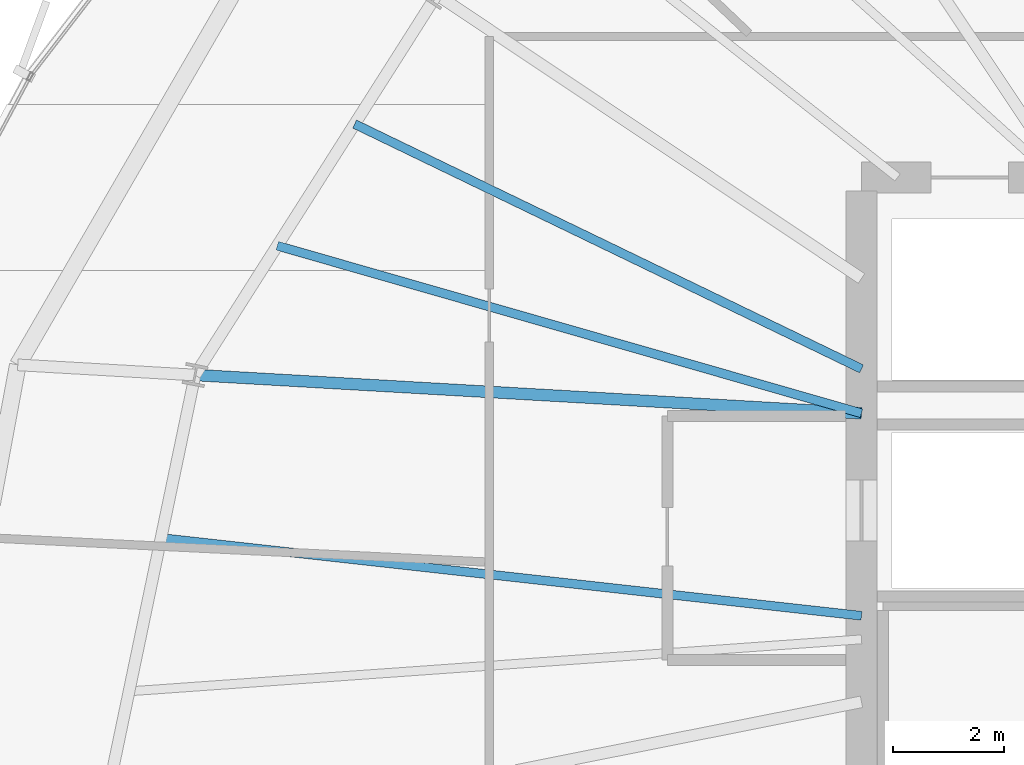
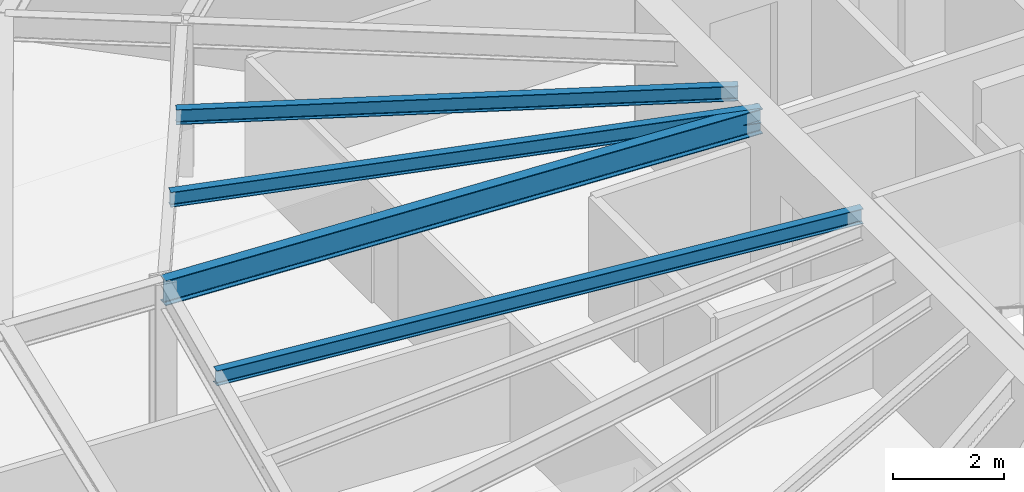
# One storey, part 10 of 34: 4 beams.
"""IFC4 building model written with IfcOpenShell, lengths in metres."""

from ifc_helpers import new_model, si_unit, direction, frame, origin, origin_2d, place, context, subcontext, project, spatial, i_section, extrude, source, transform, mapped, material, material_profile, profile_set, type_object, element, save


model = new_model("IFC4")

# Units and contexts
model_context = context("Model", 3, precision=1e-05, world=origin(), true_north=direction((0.0, 1.0)))
body_context = subcontext(model_context, "Body", "Model", "MODEL_VIEW")
ifc_project = project(units=[si_unit("LENGTHUNIT", "METRE"), si_unit("AREAUNIT", "SQUARE_METRE"), si_unit("VOLUMEUNIT", "CUBIC_METRE"), si_unit("PLANEANGLEUNIT", "RADIAN"), si_unit("MASSUNIT", "GRAM", prefix="KILO"), si_unit("THERMODYNAMICTEMPERATUREUNIT", "KELVIN")], contexts=[model_context])

# Site, building, storey
site_placement = place(None, origin())
site = spatial("IfcSite", under=ifc_project, at=site_placement, CompositionType="ELEMENT")
building_placement = place(site_placement, origin())
building = spatial("IfcBuilding", under=site, at=building_placement, Name="Kethvar Cultural Tower", CompositionType="ELEMENT")
storey_placement = place(building_placement, frame((0.0, 0.0, 125.199951171875)))
storey = spatial("IfcBuildingStorey", under=building, at=storey_placement, Name="L31", CompositionType="ELEMENT", Elevation=125.199951171875)

# Beams
ifc_material = material(Name="Steel S355J2", Category="steel")
ifc_material_profile_1 = material_profile(ifc_material, i_section(OverallWidth=0.2099609375, OverallDepth=0.550048828125, WebThickness=0.010986328125, FlangeThickness=0.01708984375, FilletRadius=0.02392578125, at=origin_2d()), Name="Steel S355J2 — IPE550")
ifc_profile_set_1 = profile_set([ifc_material_profile_1], Name="Steel S355J2 — IPE550")
beam_type_1 = type_object("IfcBeamType", Name="BM-IPE550", PredefinedType="BEAM", material=ifc_profile_set_1)
shared_shape_1 = source(origin(), body_context, "Body", "SweptSolid", [
    extrude(i_section(OverallWidth=0.2099609375, OverallDepth=0.550048828125, WebThickness=0.010986328125, FlangeThickness=0.01708984375, FilletRadius=0.02392578125, at=origin_2d()), origin(), (0.0, 0.0, 1.0), 12.03125),
])
beam_1_placement = place(storey_placement, frame((38.0, 31.25, 3.072998046875), z_axis=(-0.998355544741, 0.057325441856, 0.0), x_axis=(-0.057325441856, -0.998355544741, 0.0)))
element("IfcBeam", 1, at=beam_1_placement, inside=storey, type_object=beam_type_1, Name="L31 Primary Radial Beam RB-08", PredefinedType="BEAM", context=body_context, shape_type="MappedRepresentation", body=[
    mapped(shared_shape_1, transform((0.0, 0.0, 0.0), scale=1.0)),
])
ifc_material_profile_2 = material_profile(ifc_material, i_section(OverallWidth=0.159912109375, OverallDepth=0.330078125, WebThickness=0.007568359375, FlangeThickness=0.011474609375, FilletRadius=0.01806640625, at=origin_2d()), Name="Steel S355J2 — IPE330")
ifc_profile_set_2 = profile_set([ifc_material_profile_2], Name="Steel S355J2 — IPE330")
beam_type_2 = type_object("IfcBeamType", Name="BM-J330", PredefinedType="JOIST", material=ifc_profile_set_2)
shared_shape_2 = source(origin(), body_context, "Body", "SweptSolid", [
    extrude(i_section(OverallWidth=0.159912109375, OverallDepth=0.330078125, WebThickness=0.007568359375, FlangeThickness=0.011474609375, FilletRadius=0.01806640625, at=origin_2d()), origin(), (0.0, 0.0, 1.0), 10.1455078125),
])
beam_2_placement = place(storey_placement, frame((38.0, 32.05078125, 3.18310546875), z_axis=(-0.90045122575, 0.434956997927, 0.0), x_axis=(-0.434956997927, -0.90045122575, 0.0)))
element("IfcBeam", 2, at=beam_2_placement, inside=storey, type_object=beam_type_2, Name="L31 Composite Floor Joist J-07A", PredefinedType="JOIST", context=body_context, shape_type="MappedRepresentation", body=[
    mapped(shared_shape_2, transform((0.0, 0.0, 0.0), scale=1.0)),
])
shared_shape_3 = source(origin(), body_context, "Body", "SweptSolid", [
    extrude(i_section(OverallWidth=0.159912109375, OverallDepth=0.330078125, WebThickness=0.007568359375, FlangeThickness=0.011474609375, FilletRadius=0.01806640625, at=origin_2d()), origin(), (0.0, 0.0, 1.0), 10.95458984375),
])
beam_3_placement = place(storey_placement, frame((38.0, 31.25, 3.18310546875), z_axis=(-0.96124170623, 0.275707058676, 0.0), x_axis=(-0.275707058676, -0.96124170623, 0.0)))
element("IfcBeam", 3, at=beam_3_placement, inside=storey, type_object=beam_type_2, Name="L31 Composite Floor Joist J-07B", PredefinedType="JOIST", context=body_context, shape_type="MappedRepresentation", body=[
    mapped(shared_shape_3, transform((0.0, 0.0, 0.0), scale=1.0)),
])
shared_shape_4 = source(origin(), body_context, "Body", "SweptSolid", [
    extrude(i_section(OverallWidth=0.159912109375, OverallDepth=0.330078125, WebThickness=0.007568359375, FlangeThickness=0.011474609375, FilletRadius=0.01806640625, at=origin_2d()), origin(), (0.0, 0.0, 1.0), 12.7021484375),
])
beam_4_placement = place(storey_placement, frame((38.0, 27.60009765625, 3.18310546875), z_axis=(-0.993884906591, 0.110420978309, 0.0), x_axis=(-0.110420978309, -0.993884906591, 0.0)))
element("IfcBeam", 4, at=beam_4_placement, inside=storey, type_object=beam_type_2, Name="L31 Composite Floor Joist J-08A", PredefinedType="JOIST", context=body_context, shape_type="MappedRepresentation", body=[
    mapped(shared_shape_4, transform((0.0, 0.0, 0.0), scale=1.0)),
])

save(model, "model.ifc")
